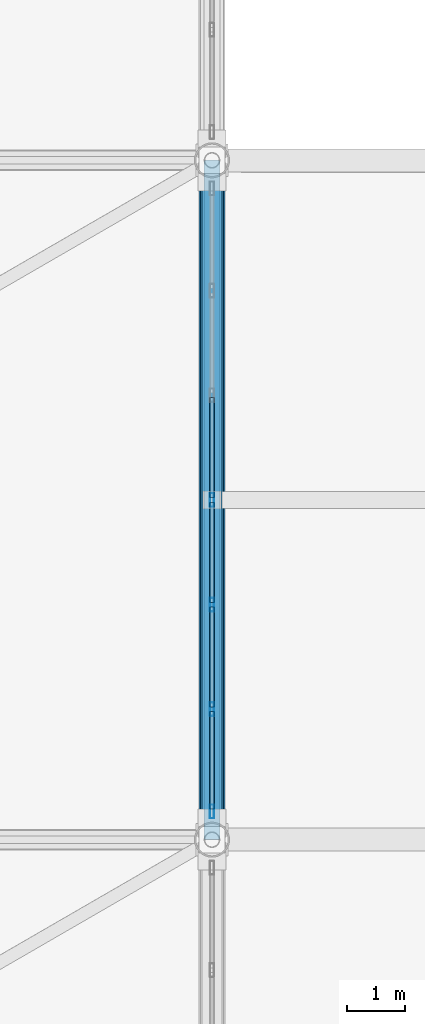
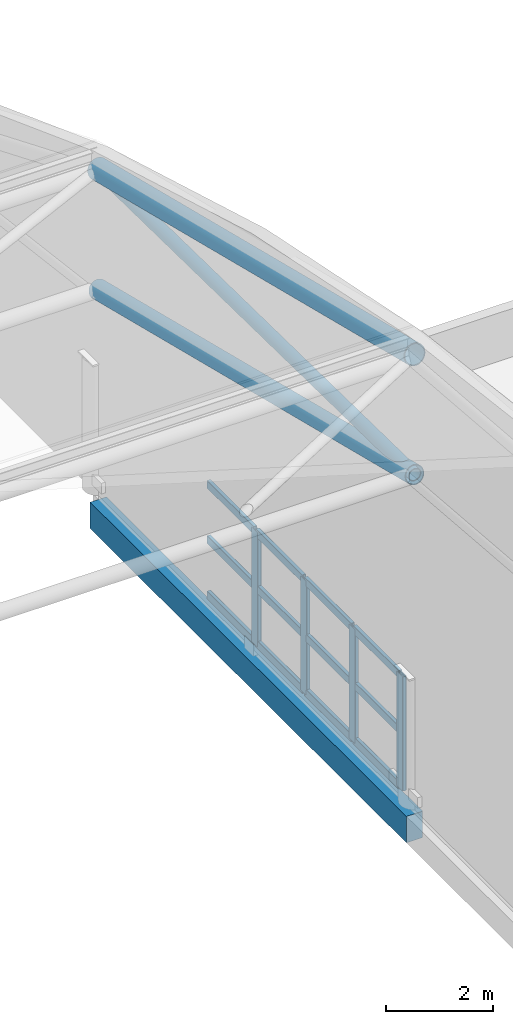
# One storey, part 62 of 135: 19 members, 1 beam, 1 element without a shape of its own.
"""IFC4 building model written with IfcOpenShell, lengths in metres."""

from ifc_helpers import new_model, si_unit, direction, frame, origin, origin_2d, place, context, subcontext, project, spatial, rectangle, hollow_rectangle, hollow_circle, extrude, material, material_profile, profile_set, type_object, element, aggregate, save


model = new_model("IFC4")

# Units and contexts
model_context = context("Model", 3, precision=1e-05, world=origin(), true_north=direction((0.0, 1.0)))
body_context = subcontext(model_context, "Body", "Model", "MODEL_VIEW")
ifc_project = project(units=[si_unit("LENGTHUNIT", "METRE"), si_unit("AREAUNIT", "SQUARE_METRE"), si_unit("VOLUMEUNIT", "CUBIC_METRE"), si_unit("PLANEANGLEUNIT", "RADIAN"), si_unit("MASSUNIT", "GRAM", prefix="KILO")], contexts=[model_context])

# Site, building, storey
site_placement = place(None, origin())
site = spatial("IfcSite", under=ifc_project, at=site_placement, CompositionType="ELEMENT")
building_placement = place(site_placement, origin())
building = spatial("IfcBuilding", under=site, at=building_placement, Name="Brelvane Convention Centre", CompositionType="ELEMENT")
storey_placement = place(building_placement, frame((0.0, 0.0, 15.0)))
storey = spatial("IfcBuildingStorey", under=building, at=storey_placement, Name="L03", CompositionType="ELEMENT", Elevation=15.0)

# Curtain wall, members
ifc_material_1 = material(Name="Anodised Aluminium Alloy 6063-T6", Category="aluminium")
curtain_wall_type = type_object("IfcCurtainWallType", Name="Curtain Wall CW-HULL-N", PredefinedType="USERDEFINED", material=ifc_material_1)
curtain_wall_placement = place(storey_placement, origin())
curtain_wall = element("IfcCurtainWall", 1, at=curtain_wall_placement, inside=storey, type_object=curtain_wall_type, Name="Curtain Wall CW-HULL-N L03-EXH-E-CLER-5", ObjectType="UNITISED", PredefinedType="USERDEFINED")
ifc_material_2 = material(Name="Anodised Aluminium Alloy 6063-T6", Category="aluminium")
ifc_material_profile_1 = material_profile(ifc_material_2, hollow_rectangle(XDim=0.080078125, YDim=0.239990234375, WallThickness=0.006103515625, InnerFilletRadius=0.006103515625, OuterFilletRadius=0.011962890625, at=origin_2d()), Name="ALU-M 240x80x6.0")
ifc_profile_set_1 = profile_set([ifc_material_profile_1], Name="Anodised Aluminium Alloy 6063-T6")
member_type_1 = type_object("IfcMemberType", Name="Curtain Mullion CW-M1", PredefinedType="MULLION", material=ifc_profile_set_1)
member_1_placement = place(storey_placement, frame((142.800048828125, 76.489990234375, 0.0), z_axis=(0.0, 0.0, 1.0), x_axis=(-1.0, 0.0, 0.0)))
member_1 = element("IfcMember", 2, at=member_1_placement, type_object=member_type_1, Name="CW-HULL-N mullion 1", PredefinedType="MULLION", context=body_context, shape_type="SweptSolid", body=[
    extrude(hollow_rectangle(XDim=0.080078125, YDim=0.239990234375, WallThickness=0.006103515625, InnerFilletRadius=0.006103515625, OuterFilletRadius=0.011962890625, at=origin_2d()), origin(), (0.0, 0.0, 1.0), 2.60009765625),
])
member_2_placement = place(storey_placement, frame((142.800048828125, 78.2666015625, 0.0), z_axis=(0.0, 0.0, 1.0), x_axis=(-1.0, 0.0, 0.0)))
member_2 = element("IfcMember", 3, at=member_2_placement, type_object=member_type_1, Name="CW-HULL-N mullion 2", PredefinedType="MULLION", context=body_context, shape_type="SweptSolid", body=[
    extrude(hollow_rectangle(XDim=0.080078125, YDim=0.239990234375, WallThickness=0.006103515625, InnerFilletRadius=0.006103515625, OuterFilletRadius=0.011962890625, at=origin_2d()), origin(), (0.0, 0.0, 1.0), 2.60009765625),
])
member_3_placement = place(storey_placement, frame((142.800048828125, 80.083251953125, 0.0), z_axis=(0.0, 0.0, 1.0), x_axis=(-1.0, 0.0, 0.0)))
member_3 = element("IfcMember", 4, at=member_3_placement, type_object=member_type_1, Name="CW-HULL-N mullion 3", PredefinedType="MULLION", context=body_context, shape_type="SweptSolid", body=[
    extrude(hollow_rectangle(XDim=0.080078125, YDim=0.239990234375, WallThickness=0.006103515625, InnerFilletRadius=0.006103515625, OuterFilletRadius=0.011962890625, at=origin_2d()), origin(), (0.0, 0.0, 1.0), 2.60009765625),
])
member_4_placement = place(storey_placement, frame((142.800048828125, 81.89990234375, 0.0), z_axis=(0.0, 0.0, 1.0), x_axis=(-1.0, 0.0, 0.0)))
member_4 = element("IfcMember", 5, at=member_4_placement, type_object=member_type_1, Name="CW-HULL-N mullion 4", PredefinedType="MULLION", context=body_context, shape_type="SweptSolid", body=[
    extrude(hollow_rectangle(XDim=0.080078125, YDim=0.239990234375, WallThickness=0.006103515625, InnerFilletRadius=0.006103515625, OuterFilletRadius=0.011962890625, at=origin_2d()), origin(), (0.0, 0.0, 1.0), 2.60009765625),
])
ifc_material_3 = material(Name="Anodised Aluminium Alloy 6063-T6", Category="aluminium")
ifc_material_profile_2 = material_profile(ifc_material_3, hollow_rectangle(XDim=0.080078125, YDim=0.179931640625, WallThickness=0.0048828125, InnerFilletRadius=0.0048828125, OuterFilletRadius=0.010009765625, at=origin_2d()), Name="ALU-T 180x80x5.0")
ifc_profile_set_2 = profile_set([ifc_material_profile_2], Name="Anodised Aluminium Alloy 6063-T6")
member_type_2 = type_object("IfcMemberType", Name="Curtain Transom CW-T1", PredefinedType="USERDEFINED", material=ifc_profile_set_2)
member_5_placement = place(storey_placement, frame((142.800048828125, 76.530029296875, 0.0400390625), z_axis=(0.0, 1.0, 0.0), x_axis=(-1.0, 0.0, 0.0)))
member_5 = element("IfcMember", 6, at=member_5_placement, type_object=member_type_2, Name="CW-HULL-N transom 1.1", ObjectType="TRANSOM", PredefinedType="USERDEFINED", context=body_context, shape_type="SweptSolid", body=[
    extrude(hollow_rectangle(XDim=0.080078125, YDim=0.179931640625, WallThickness=0.0048828125, InnerFilletRadius=0.0048828125, OuterFilletRadius=0.010009765625, at=origin_2d()), origin(), (0.0, 0.0, 1.0), 1.696533203125),
])
member_6_placement = place(storey_placement, frame((142.800048828125, 76.530029296875, 1.300048828125), z_axis=(0.0, 1.0, 0.0), x_axis=(-1.0, 0.0, 0.0)))
member_6 = element("IfcMember", 7, at=member_6_placement, type_object=member_type_2, Name="CW-HULL-N transom 1.2", ObjectType="TRANSOM", PredefinedType="USERDEFINED", context=body_context, shape_type="SweptSolid", body=[
    extrude(hollow_rectangle(XDim=0.080078125, YDim=0.179931640625, WallThickness=0.0048828125, InnerFilletRadius=0.0048828125, OuterFilletRadius=0.010009765625, at=origin_2d()), origin(), (0.0, 0.0, 1.0), 1.696533203125),
])
member_7_placement = place(storey_placement, frame((142.800048828125, 76.530029296875, 2.56005859375), z_axis=(0.0, 1.0, 0.0), x_axis=(-1.0, 0.0, 0.0)))
member_7 = element("IfcMember", 8, at=member_7_placement, type_object=member_type_2, Name="CW-HULL-N transom 1.3", ObjectType="TRANSOM", PredefinedType="USERDEFINED", context=body_context, shape_type="SweptSolid", body=[
    extrude(hollow_rectangle(XDim=0.080078125, YDim=0.179931640625, WallThickness=0.0048828125, InnerFilletRadius=0.0048828125, OuterFilletRadius=0.010009765625, at=origin_2d()), origin(), (0.0, 0.0, 1.0), 1.696533203125),
])
member_8_placement = place(storey_placement, frame((142.800048828125, 78.306640625, 0.0400390625), z_axis=(0.0, 1.0, 0.0), x_axis=(-1.0, 0.0, 0.0)))
member_8 = element("IfcMember", 9, at=member_8_placement, type_object=member_type_2, Name="CW-HULL-N transom 2.1", ObjectType="TRANSOM", PredefinedType="USERDEFINED", context=body_context, shape_type="SweptSolid", body=[
    extrude(hollow_rectangle(XDim=0.080078125, YDim=0.179931640625, WallThickness=0.0048828125, InnerFilletRadius=0.0048828125, OuterFilletRadius=0.010009765625, at=origin_2d()), origin(), (0.0, 0.0, 1.0), 1.736572265625),
])
member_9_placement = place(storey_placement, frame((142.800048828125, 78.306640625, 1.300048828125), z_axis=(0.0, 1.0, 0.0), x_axis=(-1.0, 0.0, 0.0)))
member_9 = element("IfcMember", 10, at=member_9_placement, type_object=member_type_2, Name="CW-HULL-N transom 2.2", ObjectType="TRANSOM", PredefinedType="USERDEFINED", context=body_context, shape_type="SweptSolid", body=[
    extrude(hollow_rectangle(XDim=0.080078125, YDim=0.179931640625, WallThickness=0.0048828125, InnerFilletRadius=0.0048828125, OuterFilletRadius=0.010009765625, at=origin_2d()), origin(), (0.0, 0.0, 1.0), 1.736572265625),
])
member_10_placement = place(storey_placement, frame((142.800048828125, 78.306640625, 2.56005859375), z_axis=(0.0, 1.0, 0.0), x_axis=(-1.0, 0.0, 0.0)))
member_10 = element("IfcMember", 11, at=member_10_placement, type_object=member_type_2, Name="CW-HULL-N transom 2.3", ObjectType="TRANSOM", PredefinedType="USERDEFINED", context=body_context, shape_type="SweptSolid", body=[
    extrude(hollow_rectangle(XDim=0.080078125, YDim=0.179931640625, WallThickness=0.0048828125, InnerFilletRadius=0.0048828125, OuterFilletRadius=0.010009765625, at=origin_2d()), origin(), (0.0, 0.0, 1.0), 1.736572265625),
])
member_11_placement = place(storey_placement, frame((142.800048828125, 80.123291015625, 0.0400390625), z_axis=(0.0, 1.0, 0.0), x_axis=(-1.0, 0.0, 0.0)))
member_11 = element("IfcMember", 12, at=member_11_placement, type_object=member_type_2, Name="CW-HULL-N transom 3.1", ObjectType="TRANSOM", PredefinedType="USERDEFINED", context=body_context, shape_type="SweptSolid", body=[
    extrude(hollow_rectangle(XDim=0.080078125, YDim=0.179931640625, WallThickness=0.0048828125, InnerFilletRadius=0.0048828125, OuterFilletRadius=0.010009765625, at=origin_2d()), origin(), (0.0, 0.0, 1.0), 1.73681640625),
])
member_12_placement = place(storey_placement, frame((142.800048828125, 80.123291015625, 1.300048828125), z_axis=(0.0, 1.0, 0.0), x_axis=(-1.0, 0.0, 0.0)))
member_12 = element("IfcMember", 13, at=member_12_placement, type_object=member_type_2, Name="CW-HULL-N transom 3.2", ObjectType="TRANSOM", PredefinedType="USERDEFINED", context=body_context, shape_type="SweptSolid", body=[
    extrude(hollow_rectangle(XDim=0.080078125, YDim=0.179931640625, WallThickness=0.0048828125, InnerFilletRadius=0.0048828125, OuterFilletRadius=0.010009765625, at=origin_2d()), origin(), (0.0, 0.0, 1.0), 1.73681640625),
])
member_13_placement = place(storey_placement, frame((142.800048828125, 80.123291015625, 2.56005859375), z_axis=(0.0, 1.0, 0.0), x_axis=(-1.0, 0.0, 0.0)))
member_13 = element("IfcMember", 14, at=member_13_placement, type_object=member_type_2, Name="CW-HULL-N transom 3.3", ObjectType="TRANSOM", PredefinedType="USERDEFINED", context=body_context, shape_type="SweptSolid", body=[
    extrude(hollow_rectangle(XDim=0.080078125, YDim=0.179931640625, WallThickness=0.0048828125, InnerFilletRadius=0.0048828125, OuterFilletRadius=0.010009765625, at=origin_2d()), origin(), (0.0, 0.0, 1.0), 1.73681640625),
])
member_14_placement = place(storey_placement, frame((142.800048828125, 81.93994140625, 0.0400390625), z_axis=(0.0, 1.0, 0.0), x_axis=(-1.0, 0.0, 0.0)))
member_14 = element("IfcMember", 15, at=member_14_placement, type_object=member_type_2, Name="CW-HULL-N transom 4.1", ObjectType="TRANSOM", PredefinedType="USERDEFINED", context=body_context, shape_type="SweptSolid", body=[
    extrude(hollow_rectangle(XDim=0.080078125, YDim=0.179931640625, WallThickness=0.0048828125, InnerFilletRadius=0.0048828125, OuterFilletRadius=0.010009765625, at=origin_2d()), origin(), (0.0, 0.0, 1.0), 1.73681640625),
])
member_15_placement = place(storey_placement, frame((142.800048828125, 81.93994140625, 1.300048828125), z_axis=(0.0, 1.0, 0.0), x_axis=(-1.0, 0.0, 0.0)))
member_15 = element("IfcMember", 16, at=member_15_placement, type_object=member_type_2, Name="CW-HULL-N transom 4.2", ObjectType="TRANSOM", PredefinedType="USERDEFINED", context=body_context, shape_type="SweptSolid", body=[
    extrude(hollow_rectangle(XDim=0.080078125, YDim=0.179931640625, WallThickness=0.0048828125, InnerFilletRadius=0.0048828125, OuterFilletRadius=0.010009765625, at=origin_2d()), origin(), (0.0, 0.0, 1.0), 1.73681640625),
])
member_16_placement = place(storey_placement, frame((142.800048828125, 81.93994140625, 2.56005859375), z_axis=(0.0, 1.0, 0.0), x_axis=(-1.0, 0.0, 0.0)))
member_16 = element("IfcMember", 17, at=member_16_placement, type_object=member_type_2, Name="CW-HULL-N transom 4.3", ObjectType="TRANSOM", PredefinedType="USERDEFINED", context=body_context, shape_type="SweptSolid", body=[
    extrude(hollow_rectangle(XDim=0.080078125, YDim=0.179931640625, WallThickness=0.0048828125, InnerFilletRadius=0.0048828125, OuterFilletRadius=0.010009765625, at=origin_2d()), origin(), (0.0, 0.0, 1.0), 1.73681640625),
])
aggregate(curtain_wall, [member_1, member_2, member_3, member_4, member_5, member_6, member_7, member_8, member_9, member_10, member_11, member_12, member_13, member_14, member_15, member_16])

# Beam
ifc_material_4 = material(Name="Concrete M40", Category="concrete")
ifc_material_profile_3 = material_profile(ifc_material_4, rectangle(XDim=0.35009765625, YDim=0.60009765625, at=origin_2d()), Name="RC 350x600")
ifc_profile_set_3 = profile_set([ifc_material_profile_3], Name="Concrete M40")
beam_type = type_object("IfcBeamType", Name="RC Spandrel SP-RC2 (RC 350x600)", PredefinedType="SPANDREL", material=ifc_profile_set_3)
beam_placement = place(storey_placement, frame((142.800048828125, 76.0, -0.60009765625), z_axis=(0.0, 1.0, 0.0), x_axis=(-1.0, 0.0, 0.0)))
element("IfcBeam", 18, at=beam_placement, inside=storey, type_object=beam_type, Name="L03 Girder 15/H-J", PredefinedType="SPANDREL", context=body_context, shape_type="SweptSolid", body=[
    extrude(rectangle(XDim=0.35009765625, YDim=0.60009765625, at=origin_2d()), origin(), (0.0, 0.0, 1.0), 11.800048828125),
])

# Members
ifc_material_5 = material(Name="Steel E350 (350 MPa)", Category="steel")
ifc_material_profile_4 = material_profile(ifc_material_5, hollow_circle(Radius=0.136474609375, WallThickness=0.012451171875, at=origin_2d()), Name="CHS 273.0x12.5")
ifc_profile_set_4 = profile_set([ifc_material_profile_4], Name="Steel E350 (350 MPa)")
member_type_3 = type_object("IfcMemberType", Name="Steel Brace SF-DG1 (CHS 273.0x12.5)", PredefinedType="BRACE", material=ifc_profile_set_4)
member_17_placement = place(storey_placement, frame((142.800048828125, 76.0, 7.422119140625), z_axis=(0.0, 0.99986610997, -0.016363438913), x_axis=(-1.0, 0.0, 0.0)))
element("IfcMember", 19, at=member_17_placement, inside=storey, type_object=member_type_3, Name="SF_EXH Space-Frame Web Diagonal D8.5", PredefinedType="BRACE", context=body_context, shape_type="SweptSolid", body=[
    extrude(hollow_circle(Radius=0.136474609375, WallThickness=0.012451171875, at=origin_2d()), origin(), (0.0, 0.0, 1.0), 11.801513671875),
])
ifc_material_6 = material(Name="Steel E450 (450 MPa)", Category="steel")
ifc_material_profile_5 = material_profile(ifc_material_6, hollow_circle(Radius=0.203125, WallThickness=0.01611328125, at=origin_2d()), Name="CHS 406.4x16.0")
ifc_profile_set_5 = profile_set([ifc_material_profile_5], Name="Steel E450 (450 MPa)")
member_type_4 = type_object("IfcMemberType", Name="Steel Chord SF-BC1 (CHS 406.4x16.0)", PredefinedType="CHORD", material=ifc_profile_set_5)
member_18_placement = place(storey_placement, frame((142.800048828125, 76.0, 7.422119140625), z_axis=(0.0, 0.970468783866, -0.241226738861), x_axis=(-1.0, 0.0, 0.0)))
element("IfcMember", 20, at=member_18_placement, inside=storey, type_object=member_type_4, Name="SF_EXH Space-Frame Bottom Chord B8.5", PredefinedType="CHORD", context=body_context, shape_type="SweptSolid", body=[
    extrude(hollow_circle(Radius=0.203125, WallThickness=0.01611328125, at=origin_2d()), origin(), (0.0, 0.0, 1.0), 12.1591796875),
])
ifc_material_7 = material(Name="Steel E450 (450 MPa)", Category="steel")
ifc_material_profile_6 = material_profile(ifc_material_7, hollow_circle(Radius=0.228515625, WallThickness=0.02001953125, at=origin_2d()), Name="CHS 457.0x20.0")
ifc_profile_set_6 = profile_set([ifc_material_profile_6], Name="Steel E450 (450 MPa)")
member_type_5 = type_object("IfcMemberType", Name="Steel Chord SF-TC1 (CHS 457.0x20.0)", PredefinedType="CHORD", material=ifc_profile_set_6)
member_19_placement = place(storey_placement, frame((142.800048828125, 76.0, 10.162109375), z_axis=(0.0, 0.970468783866, -0.241226738861), x_axis=(-1.0, 0.0, 0.0)))
element("IfcMember", 21, at=member_19_placement, inside=storey, type_object=member_type_5, Name="SF_EXH Space-Frame Top Chord T8.5", PredefinedType="CHORD", context=body_context, shape_type="SweptSolid", body=[
    extrude(hollow_circle(Radius=0.228515625, WallThickness=0.02001953125, at=origin_2d()), origin(), (0.0, 0.0, 1.0), 12.1591796875),
])

save(model, "model.ifc")
